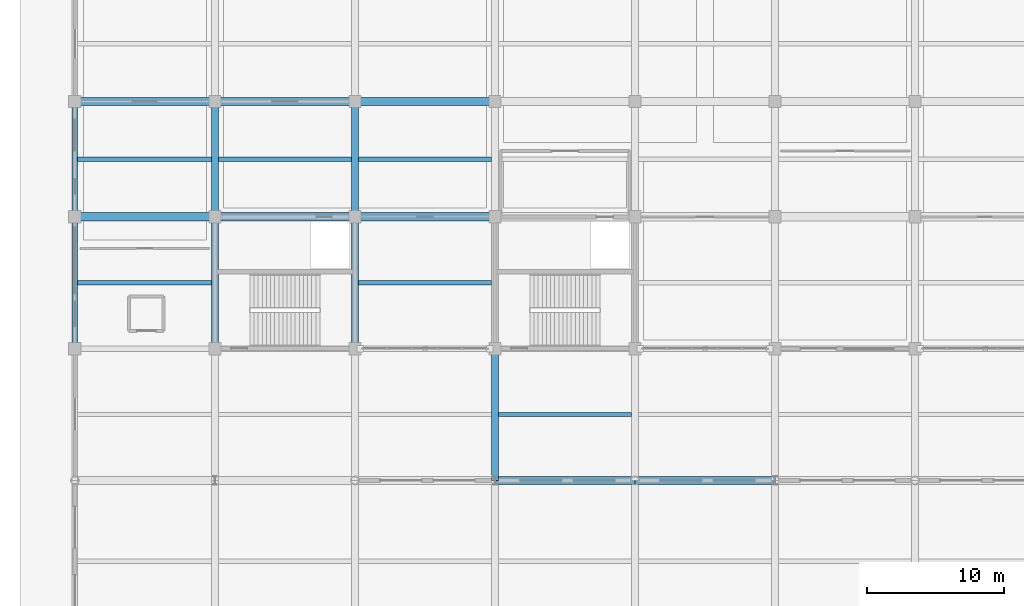
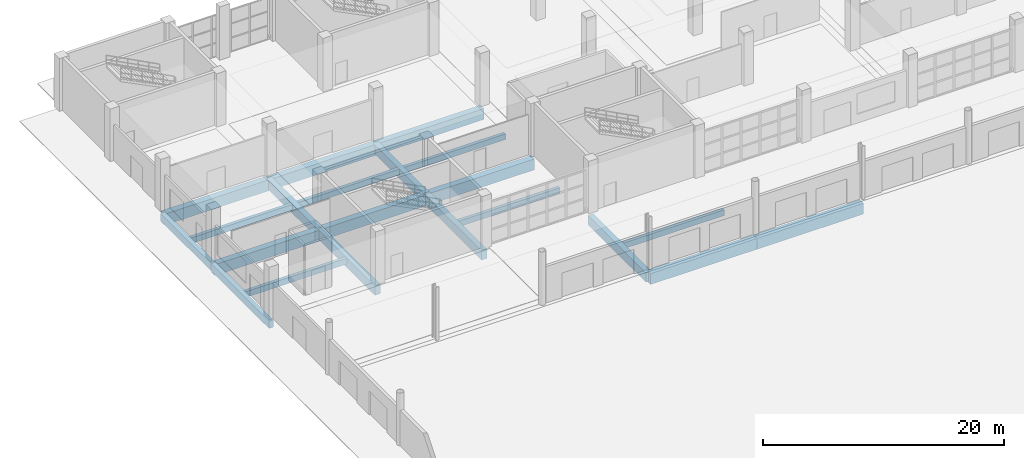
# One storey, part 39 of 124: 21 beams.
"""IFC4 building model written with IfcOpenShell, lengths in metres."""

from ifc_helpers import new_model, si_unit, direction, frame, origin, origin_2d, place, context, subcontext, project, spatial, rectangle, extrude, material, material_profile, profile_set, type_object, element, save


model = new_model("IFC4")

# Units and contexts
model_context = context("Model", 3, precision=1e-05, world=origin(), true_north=direction((0.0, 1.0)))
body_context = subcontext(model_context, "Body", "Model", "MODEL_VIEW")
ifc_project = project(units=[si_unit("LENGTHUNIT", "METRE"), si_unit("AREAUNIT", "SQUARE_METRE"), si_unit("VOLUMEUNIT", "CUBIC_METRE"), si_unit("PLANEANGLEUNIT", "RADIAN"), si_unit("MASSUNIT", "GRAM", prefix="KILO")], contexts=[model_context])

# Site, building, storey
site_placement = place(None, origin())
site = spatial("IfcSite", under=ifc_project, at=site_placement, CompositionType="ELEMENT")
building_placement = place(site_placement, origin())
building = spatial("IfcBuilding", under=site, at=building_placement, Name="Brelvane Convention Centre", CompositionType="ELEMENT")
storey_placement = place(building_placement, origin())
storey = spatial("IfcBuildingStorey", under=building, at=storey_placement, Name="L00", CompositionType="ELEMENT", Elevation=0.0)

# Beams
ifc_material_1 = material(Name="Concrete M50", Category="concrete")
ifc_material_profile_1 = material_profile(ifc_material_1, rectangle(XDim=0.60009765625, YDim=1.10009765625, at=origin_2d()), Name="RC 600x1100")
ifc_profile_set_1 = profile_set([ifc_material_profile_1], Name="Concrete M50")
beam_type_1 = type_object("IfcBeamType", Name="RC Beam B-RC2 (RC 600x1100)", PredefinedType="BEAM", material=ifc_profile_set_1)
for number, where, z_axis, x_axis, name in (
    (1, (0.0, 118.800048828125, -0.965087890625), (1.0, 0.0, 0.0), (0.0, 1.0, 0.0), "L00 Beam 1-2/M"),
    (2, (0.0, 127.199951171875, -0.965087890625), (1.0, 0.0, 0.0), (0.0, 1.0, 0.0), "L00 Beam 1-2/N"),
    (3, (10.199951171875, 118.800048828125, -0.965087890625), (1.0, 0.0, 0.0), (0.0, 1.0, 0.0), "L00 Beam 2-3/M"),
    (4, (10.199951171875, 127.199951171875, -0.965087890625), (1.0, 0.0, 0.0), (0.0, 1.0, 0.0), "L00 Beam 2-3/N"),
):
    element("IfcBeam", number, at=place(storey_placement, frame(where, z_axis=z_axis, x_axis=x_axis)), inside=storey, type_object=beam_type_1, Name=name, PredefinedType="BEAM", context=body_context, shape_type="SweptSolid", body=[
        extrude(rectangle(XDim=0.60009765625, YDim=1.10009765625, at=origin_2d()), origin(), (0.0, 0.0, 1.0), 10.199951171875),
    ])
for number, where, z_axis, x_axis, name in (
    (5, (20.39990234375, 118.800048828125, -0.965087890625), (1.0, 0.0, 0.0), (0.0, 1.0, 0.0), "L00 Beam 3-4/M"),
    (6, (20.39990234375, 127.199951171875, -0.965087890625), (1.0, 0.0, 0.0), (0.0, 1.0, 0.0), "L00 Beam 3-4/N"),
):
    element("IfcBeam", number, at=place(storey_placement, frame(where, z_axis=z_axis, x_axis=x_axis)), inside=storey, type_object=beam_type_1, Name=name, PredefinedType="BEAM", context=body_context, shape_type="SweptSolid", body=[
        extrude(rectangle(XDim=0.60009765625, YDim=1.10009765625, at=origin_2d()), origin(), (0.0, 0.0, 1.0), 10.2001953125),
    ])
for number, where, z_axis, x_axis, name in (
    (7, (30.60009765625, 99.60009765625, -0.949951171875), (1.0, 0.0, 0.0), (0.0, 1.0, 0.0), "L00 Beam 4-5/K"),
    (8, (40.800048828125, 99.60009765625, -0.949951171875), (1.0, 0.0, 0.0), (0.0, 1.0, 0.0), "L00 Beam 5-6/K"),
):
    element("IfcBeam", number, at=place(storey_placement, frame(where, z_axis=z_axis, x_axis=x_axis)), inside=storey, type_object=beam_type_1, Name=name, PredefinedType="BEAM", context=body_context, shape_type="SweptSolid", body=[
        extrude(rectangle(XDim=0.60009765625, YDim=1.10009765625, at=origin_2d()), origin(), (0.0, 0.0, 1.0), 10.199951171875),
    ])
ifc_material_2 = material(Name="Concrete M50", Category="concrete")
ifc_material_profile_2 = material_profile(ifc_material_2, rectangle(XDim=0.52001953125, YDim=0.949951171875, at=origin_2d()), Name="RC 520x950")
ifc_profile_set_2 = profile_set([ifc_material_profile_2], Name="Concrete M50")
beam_type_2 = type_object("IfcBeamType", Name="RC Beam B-RC9 (RC 520x950)", PredefinedType="BEAM", material=ifc_profile_set_2)
beam_1_placement = place(storey_placement, frame((10.199951171875, 109.199951171875, -0.889892578125), z_axis=(0.0, 1.0, 0.0), x_axis=(-1.0, 0.0, 0.0)))
element("IfcBeam", 9, at=beam_1_placement, inside=storey, type_object=beam_type_2, Name="L00 Girder 2/L-M", PredefinedType="BEAM", context=body_context, shape_type="SweptSolid", body=[
    extrude(rectangle(XDim=0.52001953125, YDim=0.949951171875, at=origin_2d()), origin(), (0.0, 0.0, 1.0), 9.60009765625),
])
beam_2_placement = place(storey_placement, frame((10.199951171875, 118.800048828125, -0.889892578125), z_axis=(0.0, 1.0, 0.0), x_axis=(-1.0, 0.0, 0.0)))
element("IfcBeam", 10, at=beam_2_placement, inside=storey, type_object=beam_type_2, Name="L00 Girder 2/M-N", PredefinedType="BEAM", context=body_context, shape_type="SweptSolid", body=[
    extrude(rectangle(XDim=0.52001953125, YDim=0.949951171875, at=origin_2d()), origin(), (0.0, 0.0, 1.0), 8.39990234375),
])
beam_3_placement = place(storey_placement, frame((20.39990234375, 109.199951171875, -0.889892578125), z_axis=(0.0, 1.0, 0.0), x_axis=(-1.0, 0.0, 0.0)))
element("IfcBeam", 11, at=beam_3_placement, inside=storey, type_object=beam_type_2, Name="L00 Girder 3/L-M", PredefinedType="BEAM", context=body_context, shape_type="SweptSolid", body=[
    extrude(rectangle(XDim=0.52001953125, YDim=0.949951171875, at=origin_2d()), origin(), (0.0, 0.0, 1.0), 9.60009765625),
])
beam_4_placement = place(storey_placement, frame((20.39990234375, 118.800048828125, -0.889892578125), z_axis=(0.0, 1.0, 0.0), x_axis=(-1.0, 0.0, 0.0)))
element("IfcBeam", 12, at=beam_4_placement, inside=storey, type_object=beam_type_2, Name="L00 Girder 3/M-N", PredefinedType="BEAM", context=body_context, shape_type="SweptSolid", body=[
    extrude(rectangle(XDim=0.52001953125, YDim=0.949951171875, at=origin_2d()), origin(), (0.0, 0.0, 1.0), 8.39990234375),
])
beam_5_placement = place(storey_placement, frame((30.60009765625, 99.60009765625, -0.875), z_axis=(0.0, 1.0, 0.0), x_axis=(-1.0, 0.0, 0.0)))
element("IfcBeam", 13, at=beam_5_placement, inside=storey, type_object=beam_type_2, Name="L00 Girder 4/K-L", PredefinedType="BEAM", context=body_context, shape_type="SweptSolid", body=[
    extrude(rectangle(XDim=0.52001953125, YDim=0.949951171875, at=origin_2d()), origin(), (0.0, 0.0, 1.0), 9.599853515625),
])
ifc_material_3 = material(Name="Concrete M40", Category="concrete")
ifc_material_profile_3 = material_profile(ifc_material_3, rectangle(XDim=0.320068359375, YDim=0.580078125, at=origin_2d()), Name="RC 320x580")
ifc_profile_set_3 = profile_set([ifc_material_profile_3], Name="Concrete M40")
beam_type_3 = type_object("IfcBeamType", Name="RC Joist J-RC3 (RC 320x580)", PredefinedType="JOIST", material=ifc_profile_set_3)
for number, where, z_axis, x_axis, name in (
    (14, (0.199951171875, 114.0, -0.705078125), (1.0, 0.0, 0.0), (0.0, 1.0, 0.0), "L00 Secondary Joist 1-2/LM"),
    (15, (0.199951171875, 123.0, -0.705078125), (1.0, 0.0, 0.0), (0.0, 1.0, 0.0), "L00 Secondary Joist 1-2/MN"),
):
    element("IfcBeam", number, at=place(storey_placement, frame(where, z_axis=z_axis, x_axis=x_axis)), inside=storey, type_object=beam_type_3, Name=name, PredefinedType="JOIST", context=body_context, shape_type="SweptSolid", body=[
        extrude(rectangle(XDim=0.320068359375, YDim=0.580078125, at=origin_2d()), origin(), (0.0, 0.0, 1.0), 9.739990234375),
    ])
beam_6_placement = place(storey_placement, frame((10.4599609375, 123.0, -0.705078125), z_axis=(1.0, 0.0, 0.0), x_axis=(0.0, 1.0, 0.0)))
element("IfcBeam", 16, at=beam_6_placement, inside=storey, type_object=beam_type_3, Name="L00 Secondary Joist 2-3/MN", PredefinedType="JOIST", context=body_context, shape_type="SweptSolid", body=[
    extrude(rectangle(XDim=0.320068359375, YDim=0.580078125, at=origin_2d()), origin(), (0.0, 0.0, 1.0), 9.679931640625),
])
for number, where, z_axis, x_axis, name in (
    (17, (20.659912109375, 114.0, -0.705078125), (1.0, 0.0, 0.0), (0.0, 1.0, 0.0), "L00 Secondary Joist 3-4/LM"),
    (18, (20.659912109375, 123.0, -0.705078125), (1.0, 0.0, 0.0), (0.0, 1.0, 0.0), "L00 Secondary Joist 3-4/MN"),
):
    element("IfcBeam", number, at=place(storey_placement, frame(where, z_axis=z_axis, x_axis=x_axis)), inside=storey, type_object=beam_type_3, Name=name, PredefinedType="JOIST", context=body_context, shape_type="SweptSolid", body=[
        extrude(rectangle(XDim=0.320068359375, YDim=0.580078125, at=origin_2d()), origin(), (0.0, 0.0, 1.0), 9.68017578125),
    ])
beam_7_placement = place(storey_placement, frame((30.860107421875, 104.39990234375, -0.68994140625), z_axis=(1.0, 0.0, 0.0), x_axis=(0.0, 1.0, 0.0)))
element("IfcBeam", 19, at=beam_7_placement, inside=storey, type_object=beam_type_3, Name="L00 Secondary Joist 4-5/KL", PredefinedType="JOIST", context=body_context, shape_type="SweptSolid", body=[
    extrude(rectangle(XDim=0.320068359375, YDim=0.580078125, at=origin_2d()), origin(), (0.0, 0.0, 1.0), 9.679931640625),
])
ifc_material_4 = material(Name="Concrete M40", Category="concrete")
ifc_material_profile_4 = material_profile(ifc_material_4, rectangle(XDim=0.39990234375, YDim=0.75, at=origin_2d()), Name="RC 400x750")
ifc_profile_set_4 = profile_set([ifc_material_profile_4], Name="Concrete M40")
beam_type_4 = type_object("IfcBeamType", Name="RC Spandrel SP-RC1 (RC 400x750)", PredefinedType="SPANDREL", material=ifc_profile_set_4)
beam_8_placement = place(storey_placement, frame((0.0, 109.199951171875, -0.7900390625), z_axis=(0.0, 1.0, 0.0), x_axis=(-1.0, 0.0, 0.0)))
element("IfcBeam", 20, at=beam_8_placement, inside=storey, type_object=beam_type_4, Name="L00 Girder 1/L-M", PredefinedType="SPANDREL", context=body_context, shape_type="SweptSolid", body=[
    extrude(rectangle(XDim=0.39990234375, YDim=0.75, at=origin_2d()), origin(), (0.0, 0.0, 1.0), 9.60009765625),
])
beam_9_placement = place(storey_placement, frame((0.0, 118.800048828125, -0.7900390625), z_axis=(0.0, 1.0, 0.0), x_axis=(-1.0, 0.0, 0.0)))
element("IfcBeam", 21, at=beam_9_placement, inside=storey, type_object=beam_type_4, Name="L00 Girder 1/M-N", PredefinedType="SPANDREL", context=body_context, shape_type="SweptSolid", body=[
    extrude(rectangle(XDim=0.39990234375, YDim=0.75, at=origin_2d()), origin(), (0.0, 0.0, 1.0), 8.39990234375),
])

save(model, "model.ifc")
